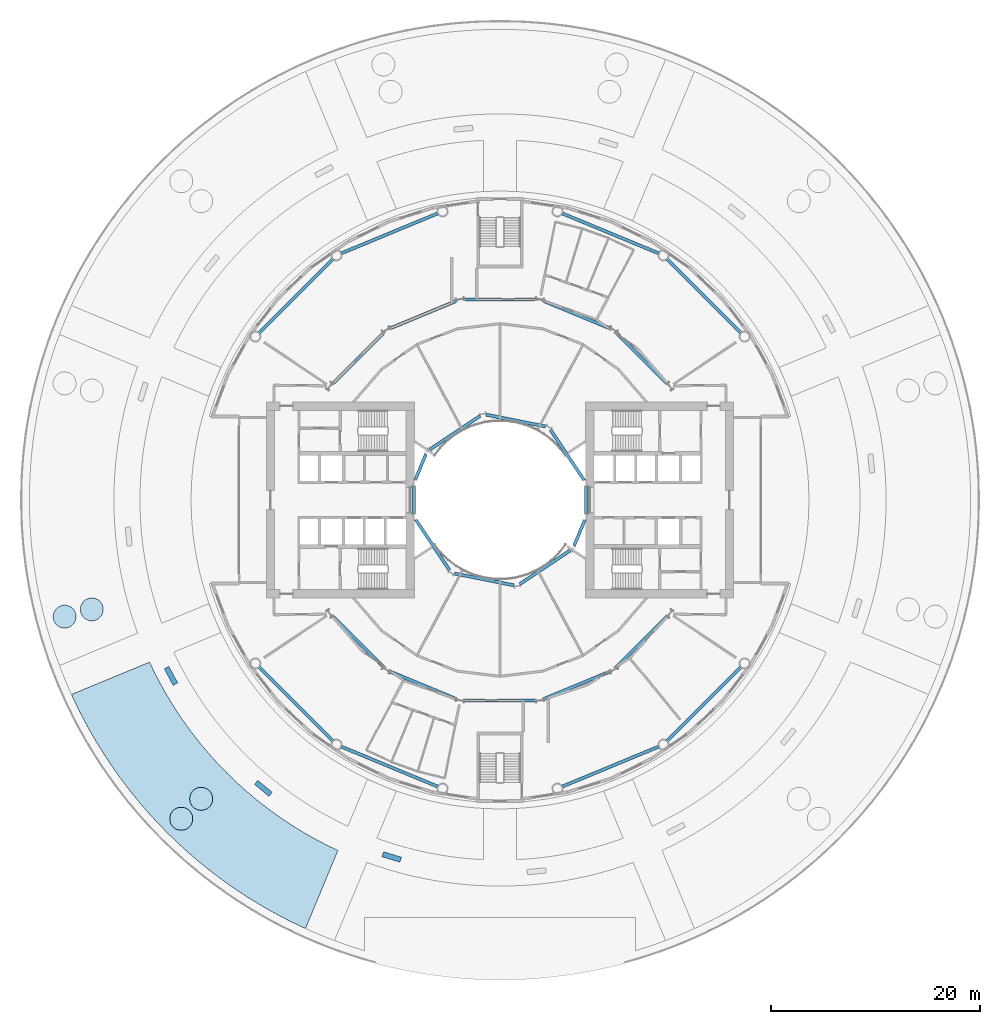
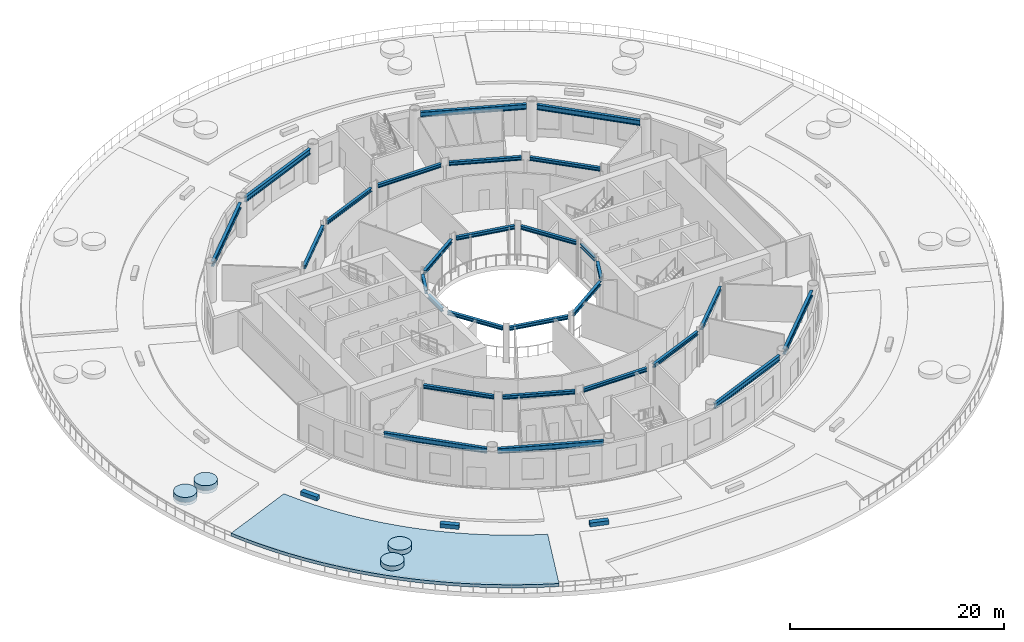
# One storey, part 3 of 19: 28 beams, 8 slabs.
"""IFC4 building model written with IfcOpenShell, lengths in metres."""

from ifc_helpers import new_model, si_unit, direction, frame, origin, origin_2d, place, context, subcontext, project, spatial, polyline, i_section, outline, extrude, material, layer, layer_set, material_profile, profile_set, type_object, element, save


model = new_model("IFC4")

# Units and contexts
model_context = context("Model", 3, precision=1e-05, world=origin(), true_north=direction((0.0, 1.0)))
body_context = subcontext(model_context, "Body", "Model", "MODEL_VIEW")
ifc_project = project(units=[si_unit("LENGTHUNIT", "METRE"), si_unit("AREAUNIT", "SQUARE_METRE"), si_unit("VOLUMEUNIT", "CUBIC_METRE"), si_unit("PLANEANGLEUNIT", "RADIAN"), si_unit("MASSUNIT", "GRAM", prefix="KILO")], contexts=[model_context])

# Site, building, storey
site_placement = place(None, origin())
site = spatial("IfcSite", under=ifc_project, at=site_placement, CompositionType="ELEMENT")
building_placement = place(site_placement, origin())
building = spatial("IfcBuilding", under=site, at=building_placement, Name="Maasbend Ring Residences", CompositionType="ELEMENT")
storey_placement = place(building_placement, frame((0.0, 0.0, 9.60009765625)))
storey = spatial("IfcBuildingStorey", under=building, at=storey_placement, Name="L02", CompositionType="ELEMENT", Elevation=9.60009765625)

# Beams
ifc_material_1 = material(Name="Steel S355J2", Category="steel")
ifc_material_profile_1 = material_profile(ifc_material_1, i_section(OverallWidth=0.300048828125, OverallDepth=0.39990234375, WebThickness=0.013427734375, FlangeThickness=0.02392578125, FilletRadius=0.027099609375, at=origin_2d()), Name="HEB 400")
ifc_profile_set_1 = profile_set([ifc_material_profile_1], Name="Steel S355J2")
beam_type_1 = type_object("IfcBeamType", Name="Corridor ring beam HEB 400", PredefinedType="BEAM", material=ifc_profile_set_1)
for number, where, z_axis, x_axis, name in (
    (1, (16.00341796875, 11.1826171875, 3.849853515625), (-0.707106781187, 0.707106781187, 0.0), (-0.707106781187, -0.707106781187, 0.0), "Corridor ring beam"),
    (2, (10.505859375, 16.45556640625, 3.849853515625), (-0.92387061516, 0.382704960046, 0.0), (-0.382704960046, -0.92387061516, 0.0), "Corridor ring beam"),
):
    element("IfcBeam", number, at=place(storey_placement, frame(where, z_axis=z_axis, x_axis=x_axis)), inside=storey, type_object=beam_type_1, Name=name, PredefinedType="BEAM", context=body_context, shape_type="SweptSolid", body=[
        extrude(i_section(OverallWidth=0.300048828125, OverallDepth=0.39990234375, WebThickness=0.013427734375, FlangeThickness=0.02392578125, FilletRadius=0.027099609375, at=origin_2d()), origin(), (0.0, 0.0, 1.0), 6.817626953125),
    ])
beam_1_placement = place(storey_placement, frame((3.40869140625, 19.223388671875, 3.849853515625), z_axis=(-1.0, 0.0, 0.0), x_axis=(0.0, -1.0, 0.0)))
element("IfcBeam", 3, at=beam_1_placement, inside=storey, type_object=beam_type_1, Name="Corridor ring beam", PredefinedType="BEAM", context=body_context, shape_type="SweptSolid", body=[
    extrude(i_section(OverallWidth=0.300048828125, OverallDepth=0.39990234375, WebThickness=0.013427734375, FlangeThickness=0.02392578125, FilletRadius=0.027099609375, at=origin_2d()), origin(), (0.0, 0.0, 1.0), 6.8173828125),
])
for number, where, z_axis, x_axis, name in (
    (4, (-4.207275390625, 19.064697265625, 3.849853515625), (-0.92387061516, -0.382704960046, 0.0), (0.382704960046, -0.92387061516, 0.0), "Corridor ring beam"),
    (5, (-11.1826171875, 16.00341796875, 3.849853515625), (-0.707106781187, -0.707106781187, 0.0), (0.707106781187, -0.707106781187, 0.0), "Corridor ring beam"),
    (6, (-16.00341796875, -11.1826171875, 3.849853515625), (0.707106781187, -0.707106781187, 0.0), (0.707106781187, 0.707106781187, 0.0), "Corridor ring beam"),
    (7, (-10.505859375, -16.45556640625, 3.849853515625), (0.92387061516, -0.382704960046, 0.0), (0.382704960046, 0.92387061516, 0.0), "Corridor ring beam"),
):
    element("IfcBeam", number, at=place(storey_placement, frame(where, z_axis=z_axis, x_axis=x_axis)), inside=storey, type_object=beam_type_1, Name=name, PredefinedType="BEAM", context=body_context, shape_type="SweptSolid", body=[
        extrude(i_section(OverallWidth=0.300048828125, OverallDepth=0.39990234375, WebThickness=0.013427734375, FlangeThickness=0.02392578125, FilletRadius=0.027099609375, at=origin_2d()), origin(), (0.0, 0.0, 1.0), 6.817626953125),
    ])
beam_2_placement = place(storey_placement, frame((-3.40869140625, -19.223388671875, 3.849853515625), z_axis=(1.0, 0.0, 0.0), x_axis=(0.0, 1.0, 0.0)))
element("IfcBeam", 8, at=beam_2_placement, inside=storey, type_object=beam_type_1, Name="Corridor ring beam", PredefinedType="BEAM", context=body_context, shape_type="SweptSolid", body=[
    extrude(i_section(OverallWidth=0.300048828125, OverallDepth=0.39990234375, WebThickness=0.013427734375, FlangeThickness=0.02392578125, FilletRadius=0.027099609375, at=origin_2d()), origin(), (0.0, 0.0, 1.0), 6.8173828125),
])
for number, where, z_axis, x_axis, name in (
    (9, (4.207275390625, -19.064697265625, 3.849853515625), (0.92387061516, 0.382704960046, 0.0), (-0.382704960046, 0.92387061516, 0.0), "Corridor ring beam"),
    (10, (11.1826171875, -16.00341796875, 3.849853515625), (0.707106781187, 0.707106781187, 0.0), (-0.707106781187, 0.707106781187, 0.0), "Corridor ring beam"),
):
    element("IfcBeam", number, at=place(storey_placement, frame(where, z_axis=z_axis, x_axis=x_axis)), inside=storey, type_object=beam_type_1, Name=name, PredefinedType="BEAM", context=body_context, shape_type="SweptSolid", body=[
        extrude(i_section(OverallWidth=0.300048828125, OverallDepth=0.39990234375, WebThickness=0.013427734375, FlangeThickness=0.02392578125, FilletRadius=0.027099609375, at=origin_2d()), origin(), (0.0, 0.0, 1.0), 6.817626953125),
    ])
ifc_material_2 = material(Name="Steel S460M", Category="steel")
ifc_material_profile_2 = material_profile(ifc_material_2, i_section(OverallWidth=0.300048828125, OverallDepth=0.60009765625, WebThickness=0.015380859375, FlangeThickness=0.030029296875, FilletRadius=0.027099609375, at=origin_2d()), Name="HEB 600")
ifc_profile_set_2 = profile_set([ifc_material_profile_2], Name="Steel S460M")
beam_type_2 = type_object("IfcBeamType", Name="Spandrel ring beam HEB 600", PredefinedType="SPANDREL", material=ifc_profile_set_2)
beam_3_placement = place(storey_placement, frame((23.088134765625, 16.0263671875, 3.75), z_axis=(-0.707106781187, 0.707106781187, 0.0), x_axis=(-0.707106781187, -0.707106781187, 0.0)))
element("IfcBeam", 11, at=beam_3_placement, inside=storey, type_object=beam_type_2, Name="Spandrel ring beam", PredefinedType="SPANDREL", context=body_context, shape_type="SweptSolid", body=[
    extrude(i_section(OverallWidth=0.300048828125, OverallDepth=0.60009765625, WebThickness=0.015380859375, FlangeThickness=0.030029296875, FilletRadius=0.027099609375, at=origin_2d()), origin(), (0.0, 0.0, 1.0), 9.98681640625),
])
for number, where, z_axis, x_axis, name in (
    (12, (15.19775390625, 23.641845703125, 3.75), (-0.923886337442, 0.382667003395, 0.0), (-0.382667003395, -0.923886337442, 0.0), "Spandrel ring beam"),
    (13, (-5.970703125, 27.463623046875, 3.75), (-0.923886337442, -0.382667003395, 0.0), (0.382667003395, -0.923886337442, 0.0), "Spandrel ring beam"),
):
    element("IfcBeam", number, at=place(storey_placement, frame(where, z_axis=z_axis, x_axis=x_axis)), inside=storey, type_object=beam_type_2, Name=name, PredefinedType="SPANDREL", context=body_context, shape_type="SweptSolid", body=[
        extrude(i_section(OverallWidth=0.300048828125, OverallDepth=0.60009765625, WebThickness=0.015380859375, FlangeThickness=0.030029296875, FilletRadius=0.027099609375, at=origin_2d()), origin(), (0.0, 0.0, 1.0), 9.9873046875),
    ])
for number, where, z_axis, x_axis, name in (
    (14, (-16.0263671875, 23.088134765625, 3.75), (-0.707106781187, -0.707106781187, 0.0), (0.707106781187, -0.707106781187, 0.0), "Spandrel ring beam"),
    (15, (-23.088134765625, -16.0263671875, 3.75), (0.707106781187, -0.707106781187, 0.0), (0.707106781187, 0.707106781187, 0.0), "Spandrel ring beam"),
):
    element("IfcBeam", number, at=place(storey_placement, frame(where, z_axis=z_axis, x_axis=x_axis)), inside=storey, type_object=beam_type_2, Name=name, PredefinedType="SPANDREL", context=body_context, shape_type="SweptSolid", body=[
        extrude(i_section(OverallWidth=0.300048828125, OverallDepth=0.60009765625, WebThickness=0.015380859375, FlangeThickness=0.030029296875, FilletRadius=0.027099609375, at=origin_2d()), origin(), (0.0, 0.0, 1.0), 9.98681640625),
    ])
for number, where, z_axis, x_axis, name in (
    (16, (-15.19775390625, -23.641845703125, 3.75), (0.923886337442, -0.382667003395, 0.0), (0.382667003395, 0.923886337442, 0.0), "Spandrel ring beam"),
    (17, (5.970703125, -27.463623046875, 3.75), (0.923886337442, 0.382667003395, 0.0), (-0.382667003395, 0.923886337442, 0.0), "Spandrel ring beam"),
):
    element("IfcBeam", number, at=place(storey_placement, frame(where, z_axis=z_axis, x_axis=x_axis)), inside=storey, type_object=beam_type_2, Name=name, PredefinedType="SPANDREL", context=body_context, shape_type="SweptSolid", body=[
        extrude(i_section(OverallWidth=0.300048828125, OverallDepth=0.60009765625, WebThickness=0.015380859375, FlangeThickness=0.030029296875, FilletRadius=0.027099609375, at=origin_2d()), origin(), (0.0, 0.0, 1.0), 9.9873046875),
    ])
beam_4_placement = place(storey_placement, frame((16.0263671875, -23.088134765625, 3.75), z_axis=(0.707106781187, 0.707106781187, 0.0), x_axis=(-0.707106781187, 0.707106781187, 0.0)))
element("IfcBeam", 18, at=beam_4_placement, inside=storey, type_object=beam_type_2, Name="Spandrel ring beam", PredefinedType="SPANDREL", context=body_context, shape_type="SweptSolid", body=[
    extrude(i_section(OverallWidth=0.300048828125, OverallDepth=0.60009765625, WebThickness=0.015380859375, FlangeThickness=0.030029296875, FilletRadius=0.027099609375, at=origin_2d()), origin(), (0.0, 0.0, 1.0), 9.98681640625),
])
ifc_material_3 = material(Name="Steel S355J2", Category="steel")
ifc_material_profile_3 = material_profile(ifc_material_3, i_section(OverallWidth=0.300048828125, OverallDepth=0.39990234375, WebThickness=0.013427734375, FlangeThickness=0.02392578125, FilletRadius=0.027099609375, at=origin_2d()), Name="HEB 400")
ifc_profile_set_3 = profile_set([ifc_material_profile_3], Name="Steel S355J2")
beam_type_3 = type_object("IfcBeamType", Name="Well edge beam HEB 400", PredefinedType="BEAM", material=ifc_profile_set_3)
for number, where, z_axis, x_axis, name in (
    (19, (8.05810546875, 1.90869140625, 3.849853515625), (-0.555557724977, 0.831477969773, 0.0), (-0.831477969773, -0.555557724977, 0.0), "Well edge beam"),
    (20, (4.348388671875, 7.047607421875, 3.849853515625), (-0.980781612923, 0.195108758779, 0.0), (-0.195108758779, -0.980781612923, 0.0), "Well edge beam"),
    (21, (-1.90869140625, 8.05810546875, 3.849853515625), (-0.831477969773, -0.555557724977, 0.0), (0.555557724977, -0.831477969773, 0.0), "Well edge beam"),
):
    element("IfcBeam", number, at=place(storey_placement, frame(where, z_axis=z_axis, x_axis=x_axis)), inside=storey, type_object=beam_type_3, Name=name, PredefinedType="BEAM", context=body_context, shape_type="SweptSolid", body=[
        extrude(i_section(OverallWidth=0.300048828125, OverallDepth=0.39990234375, WebThickness=0.013427734375, FlangeThickness=0.02392578125, FilletRadius=0.027099609375, at=origin_2d()), origin(), (0.0, 0.0, 1.0), 5.77978515625),
    ])
beam_5_placement = place(storey_placement, frame((-7.101318359375, 4.38427734375, 3.849853515625), z_axis=(-0.382715761492, -0.923866140686, 0.0), x_axis=(0.923866140686, -0.382715761492, 0.0)))
element("IfcBeam", 22, at=beam_5_placement, inside=storey, type_object=beam_type_3, Name="Well edge beam", PredefinedType="BEAM", context=body_context, shape_type="SweptSolid", body=[
    extrude(i_section(OverallWidth=0.300048828125, OverallDepth=0.39990234375, WebThickness=0.013427734375, FlangeThickness=0.02392578125, FilletRadius=0.027099609375, at=origin_2d()), origin(), (0.0, 0.0, 1.0), 2.665771484375),
])
beam_6_placement = place(storey_placement, frame((-8.238525390625, 1.3330078125, 3.849853515625), z_axis=(0.0, -1.0, 0.0), x_axis=(1.0, 0.0, 0.0)))
element("IfcBeam", 23, at=beam_6_placement, inside=storey, type_object=beam_type_3, Name="Well edge beam", PredefinedType="BEAM", context=body_context, shape_type="SweptSolid", body=[
    extrude(i_section(OverallWidth=0.300048828125, OverallDepth=0.39990234375, WebThickness=0.013427734375, FlangeThickness=0.02392578125, FilletRadius=0.027099609375, at=origin_2d()), origin(), (0.0, 0.0, 1.0), 2.666015625),
])
for number, where, z_axis, x_axis, name in (
    (24, (-8.05810546875, -1.90869140625, 3.849853515625), (0.555557724977, -0.831477969773, 0.0), (0.831477969773, 0.555557724977, 0.0), "Well edge beam"),
    (25, (-4.348388671875, -7.047607421875, 3.849853515625), (0.980781612923, -0.195108758779, 0.0), (0.195108758779, 0.980781612923, 0.0), "Well edge beam"),
    (26, (1.90869140625, -8.05810546875, 3.849853515625), (0.831477969773, 0.555557724977, 0.0), (-0.555557724977, 0.831477969773, 0.0), "Well edge beam"),
):
    element("IfcBeam", number, at=place(storey_placement, frame(where, z_axis=z_axis, x_axis=x_axis)), inside=storey, type_object=beam_type_3, Name=name, PredefinedType="BEAM", context=body_context, shape_type="SweptSolid", body=[
        extrude(i_section(OverallWidth=0.300048828125, OverallDepth=0.39990234375, WebThickness=0.013427734375, FlangeThickness=0.02392578125, FilletRadius=0.027099609375, at=origin_2d()), origin(), (0.0, 0.0, 1.0), 5.77978515625),
    ])
beam_7_placement = place(storey_placement, frame((7.101318359375, -4.38427734375, 3.849853515625), z_axis=(0.382715761492, 0.923866140686, 0.0), x_axis=(-0.923866140686, 0.382715761492, 0.0)))
element("IfcBeam", 27, at=beam_7_placement, inside=storey, type_object=beam_type_3, Name="Well edge beam", PredefinedType="BEAM", context=body_context, shape_type="SweptSolid", body=[
    extrude(i_section(OverallWidth=0.300048828125, OverallDepth=0.39990234375, WebThickness=0.013427734375, FlangeThickness=0.02392578125, FilletRadius=0.027099609375, at=origin_2d()), origin(), (0.0, 0.0, 1.0), 2.665771484375),
])
beam_8_placement = place(storey_placement, frame((8.238525390625, -1.3330078125, 3.849853515625), z_axis=(0.0, 1.0, 0.0), x_axis=(-1.0, 0.0, 0.0)))
element("IfcBeam", 28, at=beam_8_placement, inside=storey, type_object=beam_type_3, Name="Well edge beam", PredefinedType="BEAM", context=body_context, shape_type="SweptSolid", body=[
    extrude(i_section(OverallWidth=0.300048828125, OverallDepth=0.39990234375, WebThickness=0.013427734375, FlangeThickness=0.02392578125, FilletRadius=0.027099609375, at=origin_2d()), origin(), (0.0, 0.0, 1.0), 2.666015625),
])

# Slabs
ifc_material_4 = material(Name="Timber slats on steel frame", Category="steel")
ifc_layer_1 = layer(ifc_material_4, 0.449951171875)
ifc_layer_set_1 = layer_set([ifc_layer_1], Name="BENCH-DK")
slab_type_1 = type_object("IfcSlabType", Name="BENCH-DK", PredefinedType="USERDEFINED", material=ifc_layer_set_1)
slab_1_placement = place(storey_placement, frame((0.0, 0.0, 0.0498046875)))
element("IfcSlab", 29, at=slab_1_placement, inside=storey, type_object=slab_type_1, Name="Garden bench 10", ObjectType="BENCH", PredefinedType="USERDEFINED", context=body_context, shape_type="SweptSolid", body=[
    extrude(outline(polyline([(-32.173095703125, -16.177001953125), (-31.324951171875, -17.763916015625), (-30.884033203125, -17.528076171875), (-31.73193359375, -15.94091796875), (-32.173095703125, -16.177001953125)])), origin(), (0.0, 0.0, 1.0), 0.4501953125),
])
slab_2_placement = place(storey_placement, frame((0.0, 0.0, 0.0498046875)))
element("IfcSlab", 30, at=slab_2_placement, inside=storey, type_object=slab_type_1, Name="Garden bench 11", ObjectType="BENCH", PredefinedType="USERDEFINED", context=body_context, shape_type="SweptSolid", body=[
    extrude(outline(polyline([(-23.533935546875, -27.257080078125), (-22.14208984375, -28.39892578125), (-21.824951171875, -28.012939453125), (-23.217041015625, -26.87109375), (-23.533935546875, -27.257080078125)])), origin(), (0.0, 0.0, 1.0), 0.4501953125),
])
slab_3_placement = place(storey_placement, frame((0.0, 0.0, 0.0498046875)))
element("IfcSlab", 31, at=slab_3_placement, inside=storey, type_object=slab_type_1, Name="Garden bench 12", ObjectType="BENCH", PredefinedType="USERDEFINED", context=body_context, shape_type="SweptSolid", body=[
    extrude(outline(polyline([(-11.31103515625, -34.18896484375), (-9.589111328125, -34.7109375), (-9.444091796875, -34.23291015625), (-11.166015625, -33.7099609375), (-11.31103515625, -34.18896484375)])), origin(), (0.0, 0.0, 1.0), 0.4501953125),
])
ifc_material_5 = material(Name="Lawn and planting")
ifc_layer_2 = layer(ifc_material_5, 0.89990234375)
ifc_layer_set_2 = layer_set([ifc_layer_2], Name="PLANTER-DK")
slab_type_2 = type_object("IfcSlabType", Name="PLANTER-DK", PredefinedType="USERDEFINED", material=ifc_layer_set_2)
slab_4_placement = place(storey_placement, origin())
element("IfcSlab", 32, at=slab_4_placement, inside=storey, type_object=slab_type_2, Name="Lawn and planting bed 4", ObjectType="PLANTER", PredefinedType="USERDEFINED", context=body_context, shape_type="SweptSolid", body=[
    extrude(outline(polyline([(-19.947021484375, -40.448974609375), (-20.60595703125, -40.116943359375), (-21.260009765625, -39.77490234375), (-21.907958984375, -39.4208984375), (-22.550048828125, -39.05810546875), (-23.18603515625, -38.68408203125), (-23.81591796875, -38.299072265625), (-24.43896484375, -37.904052734375), (-25.055908203125, -37.4990234375), (-25.666015625, -37.083984375), (-26.27001953125, -36.658935546875), (-26.865966796875, -36.22509765625), (-27.455078125, -35.780029296875), (-28.037109375, -35.325927734375), (-28.611083984375, -34.863037109375), (-29.177978515625, -34.389892578125), (-29.736083984375, -33.907958984375), (-30.287109375, -33.4169921875), (-30.830078125, -32.9169921875), (-31.364013671875, -32.407958984375), (-31.89111328125, -31.89111328125), (-32.407958984375, -31.364013671875), (-32.9169921875, -30.830078125), (-33.4169921875, -30.287109375), (-33.907958984375, -29.736083984375), (-34.389892578125, -29.177978515625), (-34.863037109375, -28.611083984375), (-35.325927734375, -28.037109375), (-35.780029296875, -27.455078125), (-36.22509765625, -26.865966796875), (-36.658935546875, -26.27001953125), (-37.083984375, -25.666015625), (-37.4990234375, -25.055908203125), (-37.904052734375, -24.43896484375), (-38.299072265625, -23.81591796875), (-38.68408203125, -23.18603515625), (-39.05810546875, -22.550048828125), (-39.4208984375, -21.907958984375), (-39.77490234375, -21.260009765625), (-40.116943359375, -20.60595703125), (-40.448974609375, -19.947021484375), (-40.77001953125, -19.282958984375), (-41.070068359375, -18.635009765625), (-33.580078125, -15.532958984375), (-33.447998046875, -15.820068359375), (-33.18408203125, -16.364990234375), (-32.912109375, -16.905029296875), (-32.631103515625, -17.44189453125), (-32.341064453125, -17.972900390625), (-32.04296875, -18.5), (-31.736083984375, -19.02197265625), (-31.419921875, -19.5390625), (-31.096923828125, -20.050048828125), (-30.763916015625, -20.555908203125), (-30.424072265625, -21.056884765625), (-30.074951171875, -21.552001953125), (-29.718994140625, -22.041015625), (-29.35400390625, -22.52392578125), (-28.98193359375, -23.0009765625), (-28.60107421875, -23.472900390625), (-28.214111328125, -23.93701171875), (-27.818115234375, -24.39599609375), (-27.4150390625, -24.847900390625), (-27.0048828125, -25.29296875), (-26.587890625, -25.73095703125), (-26.1630859375, -26.1630859375), (-25.73095703125, -26.587890625), (-25.29296875, -27.0048828125), (-24.847900390625, -27.4150390625), (-24.39599609375, -27.818115234375), (-23.93701171875, -28.214111328125), (-23.472900390625, -28.60107421875), (-23.0009765625, -28.98193359375), (-22.52392578125, -29.35400390625), (-22.041015625, -29.718994140625), (-21.552001953125, -30.074951171875), (-21.056884765625, -30.424072265625), (-20.555908203125, -30.763916015625), (-20.050048828125, -31.096923828125), (-19.5390625, -31.419921875), (-19.02197265625, -31.736083984375), (-18.5, -32.04296875), (-17.972900390625, -32.341064453125), (-17.44189453125, -32.631103515625), (-16.905029296875, -32.912109375), (-16.364990234375, -33.18408203125), (-15.820068359375, -33.447998046875), (-15.532958984375, -33.580078125), (-18.635009765625, -41.070068359375), (-18.613037109375, -41.080078125), (-19.282958984375, -40.77001953125), (-19.947021484375, -40.448974609375)]), holes=[polyline([(-27.6220703125, -29.05908203125), (-27.574951171875, -28.923095703125), (-27.547119140625, -28.781005859375), (-27.5380859375, -28.637939453125), (-27.547119140625, -28.493896484375), (-27.574951171875, -28.35302734375), (-27.6220703125, -28.217041015625), (-27.68505859375, -28.087890625), (-27.764892578125, -27.968017578125), (-27.860107421875, -27.860107421875), (-27.968017578125, -27.764892578125), (-28.087890625, -27.68505859375), (-28.217041015625, -27.6220703125), (-28.35302734375, -27.574951171875), (-28.493896484375, -27.547119140625), (-28.637939453125, -27.5380859375), (-28.781005859375, -27.547119140625), (-28.923095703125, -27.574951171875), (-29.05908203125, -27.6220703125), (-29.18798828125, -27.68505859375), (-29.306884765625, -27.764892578125), (-29.416015625, -27.860107421875), (-29.510986328125, -27.968017578125), (-29.590087890625, -28.087890625), (-29.654052734375, -28.217041015625), (-29.699951171875, -28.35302734375), (-29.72802734375, -28.493896484375), (-29.738037109375, -28.637939453125), (-29.72802734375, -28.781005859375), (-29.699951171875, -28.923095703125), (-29.654052734375, -29.05908203125), (-29.590087890625, -29.18798828125), (-29.510986328125, -29.306884765625), (-29.416015625, -29.416015625), (-29.306884765625, -29.510986328125), (-29.18798828125, -29.590087890625), (-29.05908203125, -29.654052734375), (-28.923095703125, -29.699951171875), (-28.781005859375, -29.72802734375), (-28.637939453125, -29.738037109375), (-28.493896484375, -29.72802734375), (-28.35302734375, -29.699951171875), (-28.217041015625, -29.654052734375), (-28.087890625, -29.590087890625), (-27.968017578125, -29.510986328125), (-27.860107421875, -29.416015625), (-27.764892578125, -29.306884765625), (-27.68505859375, -29.18798828125), (-27.6220703125, -29.05908203125)]), polyline([(-29.531005859375, -30.968017578125), (-29.48388671875, -30.83203125), (-29.4560546875, -30.69091796875), (-29.447021484375, -30.547119140625), (-29.4560546875, -30.403076171875), (-29.48388671875, -30.261962890625), (-29.531005859375, -30.1259765625), (-29.593994140625, -29.9970703125), (-29.674072265625, -29.876953125), (-29.76904296875, -29.76904296875), (-29.876953125, -29.674072265625), (-29.9970703125, -29.593994140625), (-30.1259765625, -29.531005859375), (-30.261962890625, -29.48388671875), (-30.403076171875, -29.4560546875), (-30.547119140625, -29.447021484375), (-30.69091796875, -29.4560546875), (-30.83203125, -29.48388671875), (-30.968017578125, -29.531005859375), (-31.096923828125, -29.593994140625), (-31.217041015625, -29.674072265625), (-31.324951171875, -29.76904296875), (-31.419921875, -29.876953125), (-31.5, -29.9970703125), (-31.56298828125, -30.1259765625), (-31.610107421875, -30.261962890625), (-31.637939453125, -30.403076171875), (-31.64697265625, -30.547119140625), (-31.637939453125, -30.69091796875), (-31.610107421875, -30.83203125), (-31.56298828125, -30.968017578125), (-31.5, -31.096923828125), (-31.419921875, -31.217041015625), (-31.324951171875, -31.324951171875), (-31.217041015625, -31.419921875), (-31.096923828125, -31.5), (-30.968017578125, -31.56298828125), (-30.83203125, -31.610107421875), (-30.69091796875, -31.637939453125), (-30.547119140625, -31.64697265625), (-30.403076171875, -31.637939453125), (-30.261962890625, -31.610107421875), (-30.1259765625, -31.56298828125), (-29.9970703125, -31.5), (-29.876953125, -31.419921875), (-29.76904296875, -31.324951171875), (-29.674072265625, -31.217041015625), (-29.593994140625, -31.096923828125), (-29.531005859375, -30.968017578125)])]), origin(), (0.0, 0.0, 1.0), 0.349853515625),
])
slab_5_placement = place(storey_placement, origin())
element("IfcSlab", 33, at=slab_5_placement, inside=storey, type_object=slab_type_2, Name="Tree planter 7", ObjectType="PLANTER", PredefinedType="USERDEFINED", context=body_context, shape_type="SweptSolid", body=[
    extrude(outline(polyline([(-38.02001953125, -10.48193359375), (-38.029052734375, -10.6259765625), (-38.056884765625, -10.76708984375), (-38.10400390625, -10.903076171875), (-38.1669921875, -11.031982421875), (-38.2470703125, -11.152099609375), (-38.342041015625, -11.260009765625), (-38.449951171875, -11.35498046875), (-38.570068359375, -11.43505859375), (-38.698974609375, -11.498046875), (-38.8349609375, -11.544921875), (-38.97607421875, -11.572998046875), (-39.1201171875, -11.58203125), (-39.263916015625, -11.572998046875), (-39.405029296875, -11.544921875), (-39.541015625, -11.498046875), (-39.669921875, -11.43505859375), (-39.7900390625, -11.35498046875), (-39.89794921875, -11.260009765625), (-39.992919921875, -11.152099609375), (-40.072998046875, -11.031982421875), (-40.135986328125, -10.903076171875), (-40.18310546875, -10.76708984375), (-40.2109375, -10.6259765625), (-40.219970703125, -10.48193359375), (-40.2109375, -10.339111328125), (-40.18310546875, -10.197021484375), (-40.135986328125, -10.06103515625), (-40.072998046875, -9.931884765625), (-39.992919921875, -9.81298828125), (-39.89794921875, -9.7041015625), (-39.7900390625, -9.60888671875), (-39.669921875, -9.530029296875), (-39.541015625, -9.466064453125), (-39.405029296875, -9.419921875), (-39.263916015625, -9.39208984375), (-39.1201171875, -9.382080078125), (-38.97607421875, -9.39208984375), (-38.8349609375, -9.419921875), (-38.698974609375, -9.466064453125), (-38.570068359375, -9.530029296875), (-38.449951171875, -9.60888671875), (-38.342041015625, -9.7041015625), (-38.2470703125, -9.81298828125), (-38.1669921875, -9.931884765625), (-38.10400390625, -10.06103515625), (-38.056884765625, -10.197021484375), (-38.029052734375, -10.339111328125), (-38.02001953125, -10.48193359375)])), origin(), (0.0, 0.0, 1.0), 0.89990234375),
])
slab_6_placement = place(storey_placement, origin())
element("IfcSlab", 34, at=slab_6_placement, inside=storey, type_object=slab_type_2, Name="Tree planter 8", ObjectType="PLANTER", PredefinedType="USERDEFINED", context=body_context, shape_type="SweptSolid", body=[
    extrude(outline(polyline([(-27.5380859375, -28.637939453125), (-27.547119140625, -28.781005859375), (-27.574951171875, -28.923095703125), (-27.6220703125, -29.05908203125), (-27.68505859375, -29.18798828125), (-27.764892578125, -29.306884765625), (-27.860107421875, -29.416015625), (-27.968017578125, -29.510986328125), (-28.087890625, -29.590087890625), (-28.217041015625, -29.654052734375), (-28.35302734375, -29.699951171875), (-28.493896484375, -29.72802734375), (-28.637939453125, -29.738037109375), (-28.781005859375, -29.72802734375), (-28.923095703125, -29.699951171875), (-29.05908203125, -29.654052734375), (-29.18798828125, -29.590087890625), (-29.306884765625, -29.510986328125), (-29.416015625, -29.416015625), (-29.510986328125, -29.306884765625), (-29.590087890625, -29.18798828125), (-29.654052734375, -29.05908203125), (-29.699951171875, -28.923095703125), (-29.72802734375, -28.781005859375), (-29.738037109375, -28.637939453125), (-29.72802734375, -28.493896484375), (-29.699951171875, -28.35302734375), (-29.654052734375, -28.217041015625), (-29.590087890625, -28.087890625), (-29.510986328125, -27.968017578125), (-29.416015625, -27.860107421875), (-29.306884765625, -27.764892578125), (-29.18798828125, -27.68505859375), (-29.05908203125, -27.6220703125), (-28.923095703125, -27.574951171875), (-28.781005859375, -27.547119140625), (-28.637939453125, -27.5380859375), (-28.493896484375, -27.547119140625), (-28.35302734375, -27.574951171875), (-28.217041015625, -27.6220703125), (-28.087890625, -27.68505859375), (-27.968017578125, -27.764892578125), (-27.860107421875, -27.860107421875), (-27.764892578125, -27.968017578125), (-27.68505859375, -28.087890625), (-27.6220703125, -28.217041015625), (-27.574951171875, -28.35302734375), (-27.547119140625, -28.493896484375), (-27.5380859375, -28.637939453125)])), origin(), (0.0, 0.0, 1.0), 0.89990234375),
])
slab_7_placement = place(storey_placement, origin())
element("IfcSlab", 35, at=slab_7_placement, inside=storey, type_object=slab_type_2, Name="Tree planter 17", ObjectType="PLANTER", PredefinedType="USERDEFINED", context=body_context, shape_type="SweptSolid", body=[
    extrude(outline(polyline([(-40.6279296875, -11.180908203125), (-40.636962890625, -11.324951171875), (-40.6650390625, -11.466064453125), (-40.7119140625, -11.60205078125), (-40.77490234375, -11.73095703125), (-40.85498046875, -11.85107421875), (-40.949951171875, -11.958984375), (-41.05810546875, -12.053955078125), (-41.177978515625, -12.134033203125), (-41.306884765625, -12.197021484375), (-41.443115234375, -12.243896484375), (-41.583984375, -12.27197265625), (-41.72802734375, -12.281005859375), (-41.8720703125, -12.27197265625), (-42.012939453125, -12.243896484375), (-42.14892578125, -12.197021484375), (-42.278076171875, -12.134033203125), (-42.39794921875, -12.053955078125), (-42.506103515625, -11.958984375), (-42.60107421875, -11.85107421875), (-42.680908203125, -11.73095703125), (-42.743896484375, -11.60205078125), (-42.791015625, -11.466064453125), (-42.819091796875, -11.324951171875), (-42.827880859375, -11.180908203125), (-42.819091796875, -11.037109375), (-42.791015625, -10.89599609375), (-42.743896484375, -10.760009765625), (-42.680908203125, -10.631103515625), (-42.60107421875, -10.510986328125), (-42.506103515625, -10.403076171875), (-42.39794921875, -10.30810546875), (-42.278076171875, -10.22802734375), (-42.14892578125, -10.1650390625), (-42.012939453125, -10.117919921875), (-41.8720703125, -10.090087890625), (-41.72802734375, -10.0810546875), (-41.583984375, -10.090087890625), (-41.443115234375, -10.117919921875), (-41.306884765625, -10.1650390625), (-41.177978515625, -10.22802734375), (-41.05810546875, -10.30810546875), (-40.949951171875, -10.403076171875), (-40.85498046875, -10.510986328125), (-40.77490234375, -10.631103515625), (-40.7119140625, -10.760009765625), (-40.6650390625, -10.89599609375), (-40.636962890625, -11.037109375), (-40.6279296875, -11.180908203125)])), origin(), (0.0, 0.0, 1.0), 0.89990234375),
])
slab_8_placement = place(storey_placement, origin())
element("IfcSlab", 36, at=slab_8_placement, inside=storey, type_object=slab_type_2, Name="Tree planter 18", ObjectType="PLANTER", PredefinedType="USERDEFINED", context=body_context, shape_type="SweptSolid", body=[
    extrude(outline(polyline([(-29.447021484375, -30.547119140625), (-29.4560546875, -30.69091796875), (-29.48388671875, -30.83203125), (-29.531005859375, -30.968017578125), (-29.593994140625, -31.096923828125), (-29.674072265625, -31.217041015625), (-29.76904296875, -31.324951171875), (-29.876953125, -31.419921875), (-29.9970703125, -31.5), (-30.1259765625, -31.56298828125), (-30.261962890625, -31.610107421875), (-30.403076171875, -31.637939453125), (-30.547119140625, -31.64697265625), (-30.69091796875, -31.637939453125), (-30.83203125, -31.610107421875), (-30.968017578125, -31.56298828125), (-31.096923828125, -31.5), (-31.217041015625, -31.419921875), (-31.324951171875, -31.324951171875), (-31.419921875, -31.217041015625), (-31.5, -31.096923828125), (-31.56298828125, -30.968017578125), (-31.610107421875, -30.83203125), (-31.637939453125, -30.69091796875), (-31.64697265625, -30.547119140625), (-31.637939453125, -30.403076171875), (-31.610107421875, -30.261962890625), (-31.56298828125, -30.1259765625), (-31.5, -29.9970703125), (-31.419921875, -29.876953125), (-31.324951171875, -29.76904296875), (-31.217041015625, -29.674072265625), (-31.096923828125, -29.593994140625), (-30.968017578125, -29.531005859375), (-30.83203125, -29.48388671875), (-30.69091796875, -29.4560546875), (-30.547119140625, -29.447021484375), (-30.403076171875, -29.4560546875), (-30.261962890625, -29.48388671875), (-30.1259765625, -29.531005859375), (-29.9970703125, -29.593994140625), (-29.876953125, -29.674072265625), (-29.76904296875, -29.76904296875), (-29.674072265625, -29.876953125), (-29.593994140625, -29.9970703125), (-29.531005859375, -30.1259765625), (-29.48388671875, -30.261962890625), (-29.4560546875, -30.403076171875), (-29.447021484375, -30.547119140625)])), origin(), (0.0, 0.0, 1.0), 0.89990234375),
])

save(model, "model.ifc")
